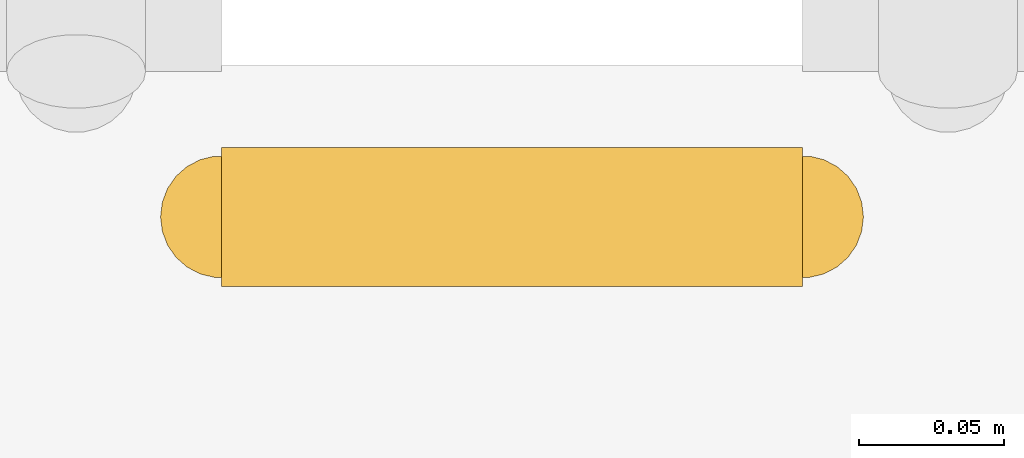
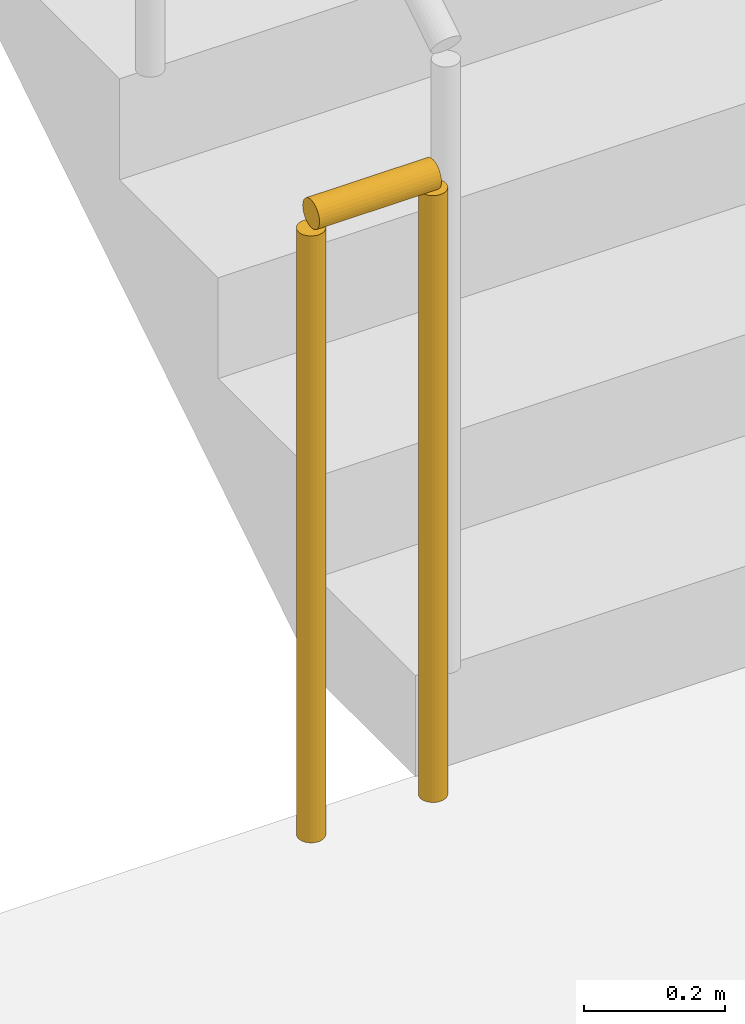
# One storey, part 10 of 21: 1 railing.
"""IFC4 building model written with IfcOpenShell, lengths in metres."""

import ifcopenshell
import ifcopenshell.guid

model = None  # the IFC model being written
_history = None  # IfcOwnerHistory: only IFC2X3 demands one
_inside = {}  # id of a spatial element -> (the spatial element, [elements in it])
_under = {}  # id of a project, library or spatial element -> (it, [spatial elements below it])
_declared = {}  # id of a project -> (the project, [libraries it declares])
_typed = {}  # id of a type object -> (the type object, [elements of that type])
_made_of = {}  # id of a material, layer set ... -> (it, [elements and type objects made of it])


def new_model(schema):
    """Start an empty IFC model of exactly this schema.

    Asked for "IFC4X3", IfcOpenShell would pick the latest addendum, in which some entities
    have other attributes; the version numbers below select the first issue.
    IFC2X3 requires an IfcOwnerHistory on every rooted entity: one is made here for all.
    """
    global model, _history
    if schema == "IFC4X3":
        model = ifcopenshell.file(schema_version=(4, 3, 0, 0))
    else:
        model = ifcopenshell.file(schema=schema)
    _inside.clear()
    _under.clear()
    _declared.clear()
    _typed.clear()
    _made_of.clear()
    _history = None
    if model.schema == "IFC2X3":
        org = make("IfcOrganization", Name="unknown")
        user = make(
            "IfcPersonAndOrganization",
            ThePerson=make("IfcPerson", FamilyName="unknown"),
            TheOrganization=org,
        )
        app = make(
            "IfcApplication",
            ApplicationDeveloper=org,
            Version="unknown",
            ApplicationFullName="unknown",
            ApplicationIdentifier="unknown",
        )
        _history = make(
            "IfcOwnerHistory",
            OwningUser=user,
            OwningApplication=app,
            ChangeAction="ADDED",
            CreationDate=0,
        )
    return model


def make(cls, **values):
    """One entity of the class cls with the attributes given. An attribute that is None is left unset."""
    return model.create_entity(
        cls, **{name: value for name, value in values.items() if value is not None}
    )


def rooted(cls, **values):
    """An entity with a GlobalId (a new one), such as an element, a storey or a relation."""
    return make(cls, GlobalId=ifcopenshell.guid.new(), OwnerHistory=_history, **values)


def si_unit(unit_type, name, prefix=None):
    """IfcSIUnit, for example si_unit("LENGTHUNIT", "METRE", prefix="MILLI")."""
    return make("IfcSIUnit", UnitType=unit_type, Prefix=prefix, Name=name)


def assignment(units):
    """IfcUnitAssignment: the units of a project."""
    return None if units is None else make("IfcUnitAssignment", Units=units)


def point(xyz):
    """IfcCartesianPoint."""
    return None if xyz is None else make("IfcCartesianPoint", Coordinates=xyz)


def direction(xyz):
    """IfcDirection."""
    return None if xyz is None else make("IfcDirection", DirectionRatios=xyz)


def frame(location, z_axis=None, x_axis=None):
    """IfcAxis2Placement3D, a coordinate frame: its origin and axes. An axis left out is left unset."""
    return make(
        "IfcAxis2Placement3D",
        Location=point(location),
        Axis=direction(z_axis),
        RefDirection=direction(x_axis),
    )


def frame_2d(location, x_axis=None):
    """IfcAxis2Placement2D, a coordinate frame in the plane: its origin and x axis."""
    return make(
        "IfcAxis2Placement2D", Location=point(location), RefDirection=direction(x_axis)
    )


def origin():
    """The frame at (0, 0, 0) with its axes left unset."""
    return frame((0.0, 0.0, 0.0))


def origin_2d():
    """The frame at (0, 0) in the plane with its x axis left unset."""
    return frame_2d((0.0, 0.0))


def place(relative_to, where):
    """IfcLocalPlacement: puts the frame where relative to a parent placement (None: the world)."""
    return make(
        "IfcLocalPlacement", PlacementRelTo=relative_to, RelativePlacement=where
    )


def context(
    kind, dimensions, precision=None, world=None, true_north=None, identifier=None
):
    """IfcGeometricRepresentationContext, for example the 3D "Model" context."""
    return make(
        "IfcGeometricRepresentationContext",
        ContextIdentifier=identifier,
        ContextType=kind,
        CoordinateSpaceDimension=dimensions,
        Precision=precision,
        WorldCoordinateSystem=world,
        TrueNorth=true_north,
    )


def subcontext(parent, identifier, kind, view, scale=None):
    """IfcGeometricRepresentationSubContext, for example "Body" below "Model"."""
    return make(
        "IfcGeometricRepresentationSubContext",
        ContextIdentifier=identifier,
        ContextType=kind,
        ParentContext=parent,
        TargetScale=scale,
        TargetView=view,
    )


def project(units=None, contexts=None):
    """IfcProject with its units and contexts."""
    return rooted(
        "IfcProject",
        Name="project",
        RepresentationContexts=contexts,
        UnitsInContext=assignment(units),
    )


def spatial(cls, under=None, at=None, **own):
    """A site, building, storey or space (cls), placed at a placement, below another one or the project."""
    s = rooted(cls, ObjectPlacement=at, **own)
    if under is not None:
        _under.setdefault(under.id(), (under, []))[1].append(s)
    return s


def profile(cls, at=None, kind="AREA", **sizes):
    """A parametric profile (cls). Its sizes go by their IFC names, for example OverallWidth=200.0."""
    return make(cls, ProfileType=kind, Position=at, **sizes)


def circle(**sizes):
    """IfcCircleProfileDef."""
    return profile("IfcCircleProfileDef", **sizes)


def extrude(swept, where, along, depth):
    """IfcExtrudedAreaSolid: the profile swept, set in the frame where, extruded along a direction by depth."""
    return make(
        "IfcExtrudedAreaSolid",
        SweptArea=swept,
        Position=where,
        ExtrudedDirection=direction(along),
        Depth=depth,
    )


def shape(context_of_items, identifier, shape_type, items):
    """IfcShapeRepresentation: the items that make up one representation, for example the "Body"."""
    return make(
        "IfcShapeRepresentation",
        ContextOfItems=context_of_items,
        RepresentationIdentifier=identifier,
        RepresentationType=shape_type,
        Items=items,
    )


def material(Name=None, Category=None):
    """IfcMaterial."""
    return make("IfcMaterial", Name=Name, Category=Category)


def made_of(thing, what):
    """Note that an element or type object is made of a material, layer set ...; save() writes the relation."""
    if what is not None:
        _made_of.setdefault(what.id(), (what, []))[1].append(thing)
    return thing


def type_object(cls, material=None, **own):
    """A type object (cls), such as IfcWallType, which elements share."""
    return made_of(rooted(cls, **own), material)


def element(
    cls,
    number,
    at=None,
    inside=None,
    cuts=None,
    type_object=None,
    material=None,
    context=None,
    identifier="Body",
    shape_type=None,
    held_by="IfcProductDefinitionShape",
    body=None,
    shapes=None,
    **own,
):
    """One element of the class cls, such as IfcWall. Its Tag is "e" and its number.

    at: its placement. inside: the storey or other place that contains it. cuts: it is an
    opening in that element (IfcRelVoidsElement). A single representation is given by context,
    identifier, shape_type and body (its items); several are given by shapes. held_by: the class
    of the entity that holds the representations. save() writes the other relations.
    """
    e = rooted(cls, Tag="e%d" % number, ObjectPlacement=at, **own)
    if body is not None:
        shapes = [shape(context, identifier, shape_type, body)]
    if shapes is not None:
        e.Representation = make(held_by, Representations=shapes)
    if inside is not None:
        _inside.setdefault(inside.id(), (inside, []))[1].append(e)
    if cuts is not None:
        rooted(
            "IfcRelVoidsElement", RelatingBuildingElement=cuts, RelatedOpeningElement=e
        )
    if type_object is not None:
        _typed.setdefault(type_object.id(), (type_object, []))[1].append(e)
    return made_of(e, material)


def aggregate(whole, parts):
    """IfcRelAggregates: a whole, such as a stair, and the parts it consists of."""
    return rooted("IfcRelAggregates", RelatingObject=whole, RelatedObjects=parts)


def save(model, path):
    """Write the relations noted so far, then the file.

    IfcRelAggregates (storeys below a building ...), IfcRelContainedInSpatialStructure (elements
    in a storey), IfcRelDefinesByType, IfcRelAssociatesMaterial and IfcRelDeclares: one each for
    every whole, place, type object, material and project.
    """
    for whole, parts in _under.values():
        aggregate(whole, parts)
    for where, things in _inside.values():
        rooted(
            "IfcRelContainedInSpatialStructure",
            RelatedElements=things,
            RelatingStructure=where,
        )
    for kind, things in _typed.values():
        rooted("IfcRelDefinesByType", RelatedObjects=things, RelatingType=kind)
    for what, things in _made_of.values():
        rooted("IfcRelAssociatesMaterial", RelatedObjects=things, RelatingMaterial=what)
    for by, libraries in _declared.values():
        rooted("IfcRelDeclares", RelatingContext=by, RelatedDefinitions=libraries)
    model.write(path)


model = new_model("IFC4")

# Units and contexts
model_context = context("Model", 3, precision=1e-05, world=origin(), true_north=direction((0.0, 1.0)))
body_context = subcontext(model_context, "Body", "Model", "MODEL_VIEW")
ifc_project = project(units=[si_unit("LENGTHUNIT", "METRE"), si_unit("AREAUNIT", "SQUARE_METRE"), si_unit("VOLUMEUNIT", "CUBIC_METRE"), si_unit("PLANEANGLEUNIT", "RADIAN"), si_unit("MASSUNIT", "GRAM", prefix="KILO")], contexts=[model_context])

# Site, building, storey
site_placement = place(None, origin())
site = spatial("IfcSite", under=ifc_project, at=site_placement, CompositionType="ELEMENT")
building_placement = place(site_placement, origin())
building = spatial("IfcBuilding", under=site, at=building_placement, Name="Kiln Ring Residences", CompositionType="ELEMENT")
storey_placement = place(building_placement, frame((0.0, 0.0, 34.0)))
storey = spatial("IfcBuildingStorey", under=building, at=storey_placement, Name="L07", CompositionType="ELEMENT", Elevation=34.0)

# Railing
ifc_material = material(Name="Stainless steel", Category="steel")
railing_type = type_object("IfcRailingType", Name="CORE-STAIR-GUARD", PredefinedType="GUARDRAIL", material=ifc_material)
railing_placement = place(storey_placement, frame((-22.0, -8.449951171875, 0.0)))
element("IfcRailing", 1, at=railing_placement, inside=storey, type_object=railing_type, Name="L07 W-STS stair guard 4", PredefinedType="GUARDRAIL", context=body_context, shape_type="SweptSolid", body=[
    extrude(circle(Radius=0.02392578125, at=origin_2d()), frame((0.0, 0.0, 1.076171875), z_axis=(-1.0, 0.0, 0.0), x_axis=(0.0, -1.0, 0.0)), (0.0, 0.0, 1.0), 0.199951171875),
    extrude(circle(Radius=0.02099609375, at=origin_2d()), origin(), (0.0, 0.0, 1.0), 1.052001953125),
    extrude(circle(Radius=0.02099609375, at=origin_2d()), frame((-0.199951171875, 0.0, 0.0)), (0.0, 0.0, 1.0), 1.052001953125),
])

save(model, "model.ifc")
